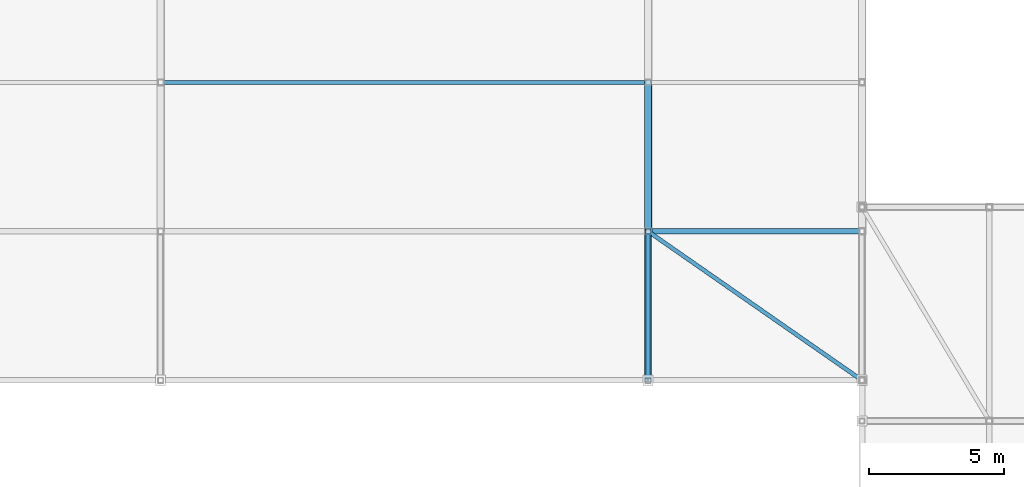
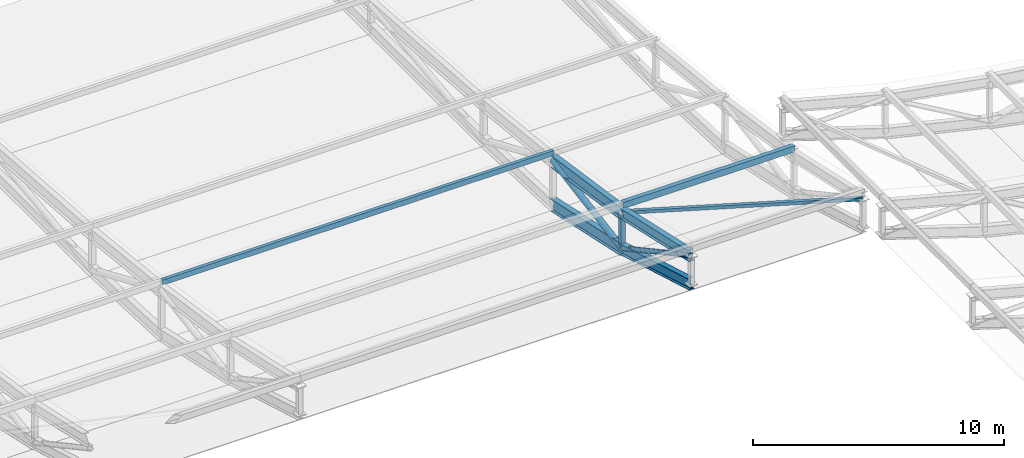
# One storey, part 61 of 114: 6 members, 4 beams.
"""IFC4 building model written with IfcOpenShell, lengths in metres."""

from ifc_helpers import new_model, si_unit, direction, frame, origin, origin_2d, place, context, subcontext, project, spatial, hollow_rectangle, hollow_circle, i_section, extrude, material, material_profile, profile_set, type_object, element, save


model = new_model("IFC4")

# Units and contexts
model_context = context("Model", 3, precision=1e-05, world=origin(), true_north=direction((0.0, 1.0)))
body_context = subcontext(model_context, "Body", "Model", "MODEL_VIEW")
ifc_project = project(units=[si_unit("LENGTHUNIT", "METRE"), si_unit("AREAUNIT", "SQUARE_METRE"), si_unit("VOLUMEUNIT", "CUBIC_METRE"), si_unit("PLANEANGLEUNIT", "RADIAN"), si_unit("MASSUNIT", "GRAM", prefix="KILO"), si_unit("THERMODYNAMICTEMPERATUREUNIT", "KELVIN"), si_unit("POWERUNIT", "WATT")], contexts=[model_context])

# Site, building, storey
site_placement = place(None, origin())
site = spatial("IfcSite", under=ifc_project, at=site_placement, CompositionType="ELEMENT")
building_placement = place(site_placement, origin())
building = spatial("IfcBuilding", under=site, at=building_placement, Name="Sindhuravela Promenade Stadium", CompositionType="ELEMENT")
storey_placement = place(building_placement, frame((0.0, 0.0, 24.0)))
storey = spatial("IfcBuildingStorey", under=building, at=storey_placement, Name="L05", CompositionType="ELEMENT", Elevation=24.0)

# Beams
ifc_material = material(Name="Steel E350 (IS 2062 E350BR)", Category="steel")
ifc_material_profile_1 = material_profile(ifc_material, i_section(OverallWidth=0.25, OverallDepth=0.5, WebThickness=0.010009765625, FlangeThickness=0.0146484375, FilletRadius=0.014892578125, at=origin_2d()), Name="ISWB 500")
ifc_profile_set_1 = profile_set([ifc_material_profile_1], Name="Steel E350 (IS 2062 E350BR)")
beam_type_1 = type_object("IfcBeamType", Name="ST-BM-WB500", PredefinedType="USERDEFINED", material=ifc_profile_set_1)
beam_1_placement = place(storey_placement, frame((153.0, 124.0, 3.169189453125), z_axis=(0.0, -0.9758669805330386, 0.2183658313595103), x_axis=(1.0, 0.0, 0.0)))
element("IfcBeam", 1, at=beam_1_placement, inside=storey, type_object=beam_type_1, Name="Roof truss RT-N08 top chord 5", ObjectType="ROOF TRUSS", PredefinedType="USERDEFINED", context=body_context, shape_type="SweptSolid", body=[
    extrude(i_section(OverallWidth=0.25, OverallDepth=0.5, WebThickness=0.010009765625, FlangeThickness=0.0146484375, FilletRadius=0.014892578125, at=origin_2d()), origin(), (0.0, 0.0, 1.0), 5.635986328125),
])
beam_2_placement = place(storey_placement, frame((153.0, 124.0, 1.419189453125), z_axis=(0.0, -0.9599274278129861, 0.28024869907342015), x_axis=(1.0, 0.0, 0.0)))
element("IfcBeam", 2, at=beam_2_placement, inside=storey, type_object=beam_type_1, Name="Roof truss RT-N08 bottom chord 5", ObjectType="ROOF TRUSS", PredefinedType="USERDEFINED", context=body_context, shape_type="SweptSolid", body=[
    extrude(i_section(OverallWidth=0.25, OverallDepth=0.5, WebThickness=0.010009765625, FlangeThickness=0.0146484375, FilletRadius=0.014892578125, at=origin_2d()), origin(), (0.0, 0.0, 1.0), 5.7294921875),
])
ifc_material_profile_2 = material_profile(ifc_material, i_section(OverallWidth=0.25, OverallDepth=0.60009765625, WebThickness=0.01171875, FlangeThickness=0.023681640625, FilletRadius=0.01708984375, at=origin_2d()), Name="ISWB 600")
ifc_profile_set_2 = profile_set([ifc_material_profile_2], Name="Steel E350 (IS 2062 E350BR)")
beam_type_2 = type_object("IfcBeamType", Name="ST-BM-WB600", PredefinedType="USERDEFINED", material=ifc_profile_set_2)
beam_3_placement = place(storey_placement, frame((153.0, 129.5, 2.3525390625), z_axis=(0.0, -0.9891555530237203, 0.14687168523012892), x_axis=(1.0, 0.0, 0.0)))
element("IfcBeam", 3, at=beam_3_placement, inside=storey, type_object=beam_type_2, Name="Roof truss RT-N08 top chord 4", ObjectType="ROOF TRUSS", PredefinedType="USERDEFINED", context=body_context, shape_type="SweptSolid", body=[
    extrude(i_section(OverallWidth=0.25, OverallDepth=0.60009765625, WebThickness=0.01171875, FlangeThickness=0.023681640625, FilletRadius=0.01708984375, at=origin_2d()), origin(), (0.0, 0.0, 1.0), 5.560302734375),
])
beam_4_placement = place(storey_placement, frame((153.0, 129.5, 0.2275390625), z_axis=(0.0, -0.9773237385626684, 0.21175058451368894), x_axis=(1.0, 0.0, 0.0)))
element("IfcBeam", 4, at=beam_4_placement, inside=storey, type_object=beam_type_2, Name="Roof truss RT-N08 bottom chord 4", ObjectType="ROOF TRUSS", PredefinedType="USERDEFINED", context=body_context, shape_type="SweptSolid", body=[
    extrude(i_section(OverallWidth=0.25, OverallDepth=0.60009765625, WebThickness=0.01171875, FlangeThickness=0.023681640625, FilletRadius=0.01708984375, at=origin_2d()), origin(), (0.0, 0.0, 1.0), 5.627685546875),
])

# Members
ifc_material_profile_3 = material_profile(ifc_material, hollow_circle(Radius=0.109619140625, WallThickness=0.010009765625, at=origin_2d()), Name="CHS 219.1x10")
ifc_profile_set_3 = profile_set([ifc_material_profile_3], Name="Steel E350 (IS 2062 E350BR)")
member_type_1 = type_object("IfcMemberType", Name="ST-MB-CHS219", PredefinedType="BRACE", material=ifc_profile_set_3)
member_1_placement = place(storey_placement, frame((153.0, 124.0, 1.419189453125), z_axis=(0.0, -0.8791884339384995, 0.47647423605979855), x_axis=(1.0, 0.0, 0.0)))
element("IfcMember", 5, at=member_1_placement, inside=storey, type_object=member_type_1, Name="Roof truss RT-N08 diagonal web 5", PredefinedType="BRACE", context=body_context, shape_type="SweptSolid", body=[
    extrude(hollow_circle(Radius=0.109619140625, WallThickness=0.010009765625, at=origin_2d()), origin(), (0.0, 0.0, 1.0), 6.255859375),
])
ifc_material_profile_4 = material_profile(ifc_material, hollow_circle(Radius=0.136474609375, WallThickness=0.010009765625, at=origin_2d()), Name="CHS 273.0x10")
ifc_profile_set_4 = profile_set([ifc_material_profile_4], Name="Steel E350 (IS 2062 E350BR)")
member_type_2 = type_object("IfcMemberType", Name="ST-MB-CHS273", PredefinedType="BRACE", material=ifc_profile_set_4)
member_2_placement = place(storey_placement, frame((153.0, 129.5, 2.3525390625), z_axis=(0.0, -0.9859046851385784, -0.1673079550463772), x_axis=(1.0, 0.0, 0.0)))
element("IfcMember", 6, at=member_2_placement, inside=storey, type_object=member_type_2, Name="Roof truss RT-N08 diagonal web 4", PredefinedType="BRACE", context=body_context, shape_type="SweptSolid", body=[
    extrude(hollow_circle(Radius=0.136474609375, WallThickness=0.010009765625, at=origin_2d()), origin(), (0.0, 0.0, 1.0), 5.57861328125),
])
ifc_material_profile_5 = material_profile(ifc_material, hollow_rectangle(XDim=0.14990234375, YDim=0.25, WallThickness=0.010009765625, at=origin_2d()), Name="RHS 250x150x10")
ifc_profile_set_5 = profile_set([ifc_material_profile_5], Name="Steel E350 (IS 2062 E350BR)")
member_type_3 = type_object("IfcMemberType", Name="ST-MB-RHS250", PredefinedType="PURLIN", material=ifc_profile_set_5)
member_3_placement = place(storey_placement, frame((135.0, 129.5, 2.744384765625), z_axis=(1.0, 0.0, 0.0), x_axis=(0.0, 1.0, 0.0)))
element("IfcMember", 7, at=member_3_placement, inside=storey, type_object=member_type_3, Name="Roof purlin PR01 N bay 7.4", PredefinedType="PURLIN", context=body_context, shape_type="SweptSolid", body=[
    extrude(hollow_rectangle(XDim=0.14990234375, YDim=0.25, WallThickness=0.010009765625, at=origin_2d()), origin(), (0.0, 0.0, 1.0), 18.0),
])
ifc_material_profile_6 = material_profile(ifc_material, hollow_rectangle(XDim=0.199951171875, YDim=0.300048828125, WallThickness=0.010009765625, at=origin_2d()), Name="RHS 300x200x10")
ifc_profile_set_6 = profile_set([ifc_material_profile_6], Name="Steel E350 (IS 2062 E350BR)")
member_type_4 = type_object("IfcMemberType", Name="ST-MB-RHS300", PredefinedType="PURLIN", material=ifc_profile_set_6)
member_4_placement = place(storey_placement, frame((153.0, 124.0, 3.5361328125), z_axis=(1.0, 0.0, 0.0), x_axis=(0.0, 1.0, 0.0)))
element("IfcMember", 8, at=member_4_placement, inside=storey, type_object=member_type_4, Name="Roof purlin PR02 N bay 8.5", PredefinedType="PURLIN", context=body_context, shape_type="SweptSolid", body=[
    extrude(hollow_rectangle(XDim=0.199951171875, YDim=0.300048828125, WallThickness=0.010009765625, at=origin_2d()), origin(), (0.0, 0.0, 1.0), 7.89990234375),
])
ifc_material_profile_7 = material_profile(ifc_material, hollow_rectangle(XDim=0.14990234375, YDim=0.14990234375, WallThickness=0.008056640625, at=origin_2d()), Name="SHS 150x150x8")
ifc_profile_set_7 = profile_set([ifc_material_profile_7], Name="Steel E350 (IS 2062 E350BR)")
member_type_5 = type_object("IfcMemberType", Name="ST-MB-SHS150", PredefinedType="BRACE", material=ifc_profile_set_7)
member_5_placement = place(storey_placement, frame((153.0, 124.0, 3.169189453125), z_axis=(0.8140634635075852, -0.5667600502471994, 0.1268216181328184), x_axis=(0.5713735833129875, 0.8206900927220192, 0.0)))
element("IfcMember", 9, at=member_5_placement, inside=storey, type_object=member_type_5, Name="Roof wind brace MB01 N bay 8", PredefinedType="BRACE", context=body_context, shape_type="SweptSolid", body=[
    extrude(hollow_rectangle(XDim=0.14990234375, YDim=0.14990234375, WallThickness=0.008056640625, at=origin_2d()), origin(), (0.0, 0.0, 1.0), 9.704345703125),
])
ifc_material_profile_8 = material_profile(ifc_material, hollow_rectangle(XDim=0.199951171875, YDim=0.199951171875, WallThickness=0.010009765625, at=origin_2d()), Name="SHS 200x200x10")
ifc_profile_set_8 = profile_set([ifc_material_profile_8], Name="Steel E350 (IS 2062 E350BR)")
member_type_6 = type_object("IfcMemberType", Name="ST-MB-SHS200", PredefinedType="POST", material=ifc_profile_set_8)
member_6_placement = place(storey_placement, frame((153.0, 124.0, 1.419189453125), z_axis=(0.0, 0.0, 1.0), x_axis=(1.0, 0.0, 0.0)))
element("IfcMember", 10, at=member_6_placement, inside=storey, type_object=member_type_6, Name="Roof truss RT-N08 vertical post 5", PredefinedType="POST", context=body_context, shape_type="SweptSolid", body=[
    extrude(hollow_rectangle(XDim=0.199951171875, YDim=0.199951171875, WallThickness=0.010009765625, at=origin_2d()), origin(), (0.0, 0.0, 1.0), 1.75),
])

save(model, "model.ifc")
